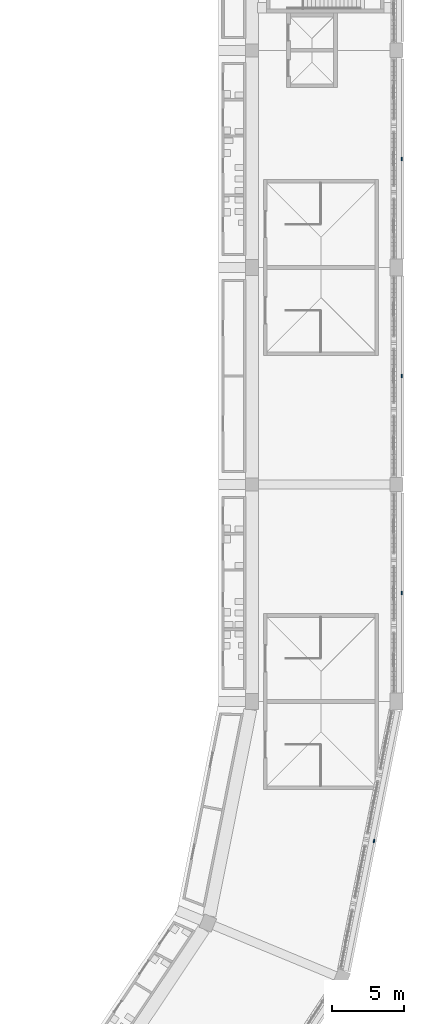
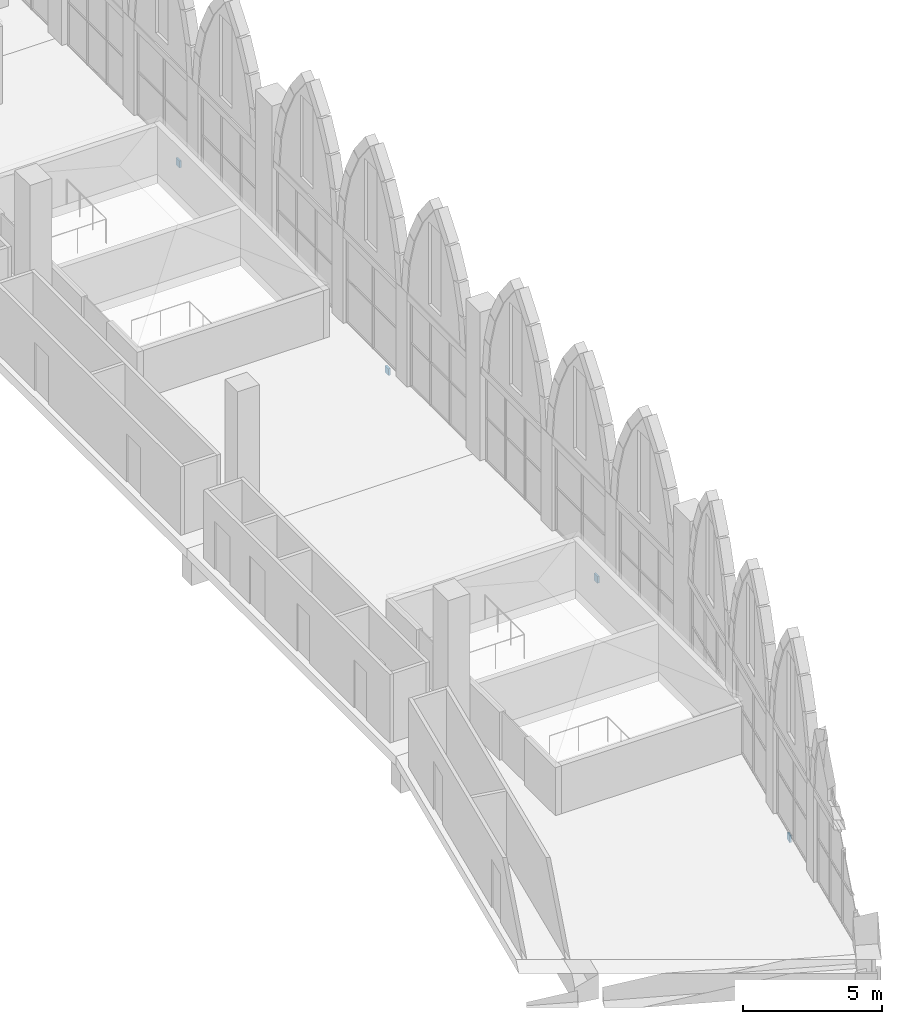
# One storey, part 94 of 130: 4 discrete accessories.
"""IFC4 building model written with IfcOpenShell, lengths in metres."""

import ifcopenshell
import ifcopenshell.guid

model = None  # the IFC model being written
_history = None  # IfcOwnerHistory: only IFC2X3 demands one
_inside = {}  # id of a spatial element -> (the spatial element, [elements in it])
_under = {}  # id of a project, library or spatial element -> (it, [spatial elements below it])
_declared = {}  # id of a project -> (the project, [libraries it declares])
_typed = {}  # id of a type object -> (the type object, [elements of that type])
_made_of = {}  # id of a material, layer set ... -> (it, [elements and type objects made of it])


def new_model(schema):
    """Start an empty IFC model of exactly this schema.

    Asked for "IFC4X3", IfcOpenShell would pick the latest addendum, in which some entities
    have other attributes; the version numbers below select the first issue.
    IFC2X3 requires an IfcOwnerHistory on every rooted entity: one is made here for all.
    """
    global model, _history
    if schema == "IFC4X3":
        model = ifcopenshell.file(schema_version=(4, 3, 0, 0))
    else:
        model = ifcopenshell.file(schema=schema)
    _inside.clear()
    _under.clear()
    _declared.clear()
    _typed.clear()
    _made_of.clear()
    _history = None
    if model.schema == "IFC2X3":
        org = make("IfcOrganization", Name="unknown")
        user = make(
            "IfcPersonAndOrganization",
            ThePerson=make("IfcPerson", FamilyName="unknown"),
            TheOrganization=org,
        )
        app = make(
            "IfcApplication",
            ApplicationDeveloper=org,
            Version="unknown",
            ApplicationFullName="unknown",
            ApplicationIdentifier="unknown",
        )
        _history = make(
            "IfcOwnerHistory",
            OwningUser=user,
            OwningApplication=app,
            ChangeAction="ADDED",
            CreationDate=0,
        )
    return model


def make(cls, **values):
    """One entity of the class cls with the attributes given. An attribute that is None is left unset."""
    return model.create_entity(
        cls, **{name: value for name, value in values.items() if value is not None}
    )


def rooted(cls, **values):
    """An entity with a GlobalId (a new one), such as an element, a storey or a relation."""
    return make(cls, GlobalId=ifcopenshell.guid.new(), OwnerHistory=_history, **values)


def si_unit(unit_type, name, prefix=None):
    """IfcSIUnit, for example si_unit("LENGTHUNIT", "METRE", prefix="MILLI")."""
    return make("IfcSIUnit", UnitType=unit_type, Prefix=prefix, Name=name)


def assignment(units):
    """IfcUnitAssignment: the units of a project."""
    return None if units is None else make("IfcUnitAssignment", Units=units)


def point(xyz):
    """IfcCartesianPoint."""
    return None if xyz is None else make("IfcCartesianPoint", Coordinates=xyz)


def direction(xyz):
    """IfcDirection."""
    return None if xyz is None else make("IfcDirection", DirectionRatios=xyz)


def frame(location, z_axis=None, x_axis=None):
    """IfcAxis2Placement3D, a coordinate frame: its origin and axes. An axis left out is left unset."""
    return make(
        "IfcAxis2Placement3D",
        Location=point(location),
        Axis=direction(z_axis),
        RefDirection=direction(x_axis),
    )


def frame_2d(location, x_axis=None):
    """IfcAxis2Placement2D, a coordinate frame in the plane: its origin and x axis."""
    return make(
        "IfcAxis2Placement2D", Location=point(location), RefDirection=direction(x_axis)
    )


def origin():
    """The frame at (0, 0, 0) with its axes left unset."""
    return frame((0.0, 0.0, 0.0))


def origin_2d():
    """The frame at (0, 0) in the plane with its x axis left unset."""
    return frame_2d((0.0, 0.0))


def place(relative_to, where):
    """IfcLocalPlacement: puts the frame where relative to a parent placement (None: the world)."""
    return make(
        "IfcLocalPlacement", PlacementRelTo=relative_to, RelativePlacement=where
    )


def context(
    kind, dimensions, precision=None, world=None, true_north=None, identifier=None
):
    """IfcGeometricRepresentationContext, for example the 3D "Model" context."""
    return make(
        "IfcGeometricRepresentationContext",
        ContextIdentifier=identifier,
        ContextType=kind,
        CoordinateSpaceDimension=dimensions,
        Precision=precision,
        WorldCoordinateSystem=world,
        TrueNorth=true_north,
    )


def subcontext(parent, identifier, kind, view, scale=None):
    """IfcGeometricRepresentationSubContext, for example "Body" below "Model"."""
    return make(
        "IfcGeometricRepresentationSubContext",
        ContextIdentifier=identifier,
        ContextType=kind,
        ParentContext=parent,
        TargetScale=scale,
        TargetView=view,
    )


def project(units=None, contexts=None):
    """IfcProject with its units and contexts."""
    return rooted(
        "IfcProject",
        Name="project",
        RepresentationContexts=contexts,
        UnitsInContext=assignment(units),
    )


def spatial(cls, under=None, at=None, **own):
    """A site, building, storey or space (cls), placed at a placement, below another one or the project."""
    s = rooted(cls, ObjectPlacement=at, **own)
    if under is not None:
        _under.setdefault(under.id(), (under, []))[1].append(s)
    return s


def profile(cls, at=None, kind="AREA", **sizes):
    """A parametric profile (cls). Its sizes go by their IFC names, for example OverallWidth=200.0."""
    return make(cls, ProfileType=kind, Position=at, **sizes)


def rectangle(**sizes):
    """IfcRectangleProfileDef."""
    return profile("IfcRectangleProfileDef", **sizes)


def extrude(swept, where, along, depth):
    """IfcExtrudedAreaSolid: the profile swept, set in the frame where, extruded along a direction by depth."""
    return make(
        "IfcExtrudedAreaSolid",
        SweptArea=swept,
        Position=where,
        ExtrudedDirection=direction(along),
        Depth=depth,
    )


def shape(context_of_items, identifier, shape_type, items):
    """IfcShapeRepresentation: the items that make up one representation, for example the "Body"."""
    return make(
        "IfcShapeRepresentation",
        ContextOfItems=context_of_items,
        RepresentationIdentifier=identifier,
        RepresentationType=shape_type,
        Items=items,
    )


def material(Name=None, Category=None):
    """IfcMaterial."""
    return make("IfcMaterial", Name=Name, Category=Category)


def layer(
    of_material, thickness, ventilated=None, Name=None, Category=None, Priority=None
):
    """IfcMaterialLayer: one layer of a wall or slab, of a material (None: an air gap)."""
    return make(
        "IfcMaterialLayer",
        Material=of_material,
        LayerThickness=thickness,
        IsVentilated=ventilated,
        Name=Name,
        Category=Category,
        Priority=Priority,
    )


def layer_set(layers, Name=None):
    """IfcMaterialLayerSet."""
    return make("IfcMaterialLayerSet", MaterialLayers=layers, LayerSetName=Name)


def made_of(thing, what):
    """Note that an element or type object is made of a material, layer set ...; save() writes the relation."""
    if what is not None:
        _made_of.setdefault(what.id(), (what, []))[1].append(thing)
    return thing


def type_object(cls, material=None, **own):
    """A type object (cls), such as IfcWallType, which elements share."""
    return made_of(rooted(cls, **own), material)


def element(
    cls,
    number,
    at=None,
    inside=None,
    cuts=None,
    type_object=None,
    material=None,
    context=None,
    identifier="Body",
    shape_type=None,
    held_by="IfcProductDefinitionShape",
    body=None,
    shapes=None,
    **own,
):
    """One element of the class cls, such as IfcWall. Its Tag is "e" and its number.

    at: its placement. inside: the storey or other place that contains it. cuts: it is an
    opening in that element (IfcRelVoidsElement). A single representation is given by context,
    identifier, shape_type and body (its items); several are given by shapes. held_by: the class
    of the entity that holds the representations. save() writes the other relations.
    """
    e = rooted(cls, Tag="e%d" % number, ObjectPlacement=at, **own)
    if body is not None:
        shapes = [shape(context, identifier, shape_type, body)]
    if shapes is not None:
        e.Representation = make(held_by, Representations=shapes)
    if inside is not None:
        _inside.setdefault(inside.id(), (inside, []))[1].append(e)
    if cuts is not None:
        rooted(
            "IfcRelVoidsElement", RelatingBuildingElement=cuts, RelatedOpeningElement=e
        )
    if type_object is not None:
        _typed.setdefault(type_object.id(), (type_object, []))[1].append(e)
    return made_of(e, material)


def aggregate(whole, parts):
    """IfcRelAggregates: a whole, such as a stair, and the parts it consists of."""
    return rooted("IfcRelAggregates", RelatingObject=whole, RelatedObjects=parts)


def save(model, path):
    """Write the relations noted so far, then the file.

    IfcRelAggregates (storeys below a building ...), IfcRelContainedInSpatialStructure (elements
    in a storey), IfcRelDefinesByType, IfcRelAssociatesMaterial and IfcRelDeclares: one each for
    every whole, place, type object, material and project.
    """
    for whole, parts in _under.values():
        aggregate(whole, parts)
    for where, things in _inside.values():
        rooted(
            "IfcRelContainedInSpatialStructure",
            RelatedElements=things,
            RelatingStructure=where,
        )
    for kind, things in _typed.values():
        rooted("IfcRelDefinesByType", RelatedObjects=things, RelatingType=kind)
    for what, things in _made_of.values():
        rooted("IfcRelAssociatesMaterial", RelatedObjects=things, RelatingMaterial=what)
    for by, libraries in _declared.values():
        rooted("IfcRelDeclares", RelatingContext=by, RelatedDefinitions=libraries)
    model.write(path)


model = new_model("IFC4")

# Units and contexts
model_context = context("Model", 3, precision=1e-05, world=origin(), true_north=direction((0.0, 1.0)))
body_context = subcontext(model_context, "Body", "Model", "MODEL_VIEW")
ifc_project = project(units=[si_unit("LENGTHUNIT", "METRE"), si_unit("AREAUNIT", "SQUARE_METRE"), si_unit("VOLUMEUNIT", "CUBIC_METRE"), si_unit("PLANEANGLEUNIT", "RADIAN"), si_unit("MASSUNIT", "GRAM", prefix="KILO")], contexts=[model_context])

# Site, building, storey
site_placement = place(None, origin())
site = spatial("IfcSite", under=ifc_project, at=site_placement, CompositionType="ELEMENT")
building_placement = place(site_placement, origin())
building = spatial("IfcBuilding", under=site, at=building_placement, Name="Ogive Plaza Stadium", CompositionType="ELEMENT")
storey_placement = place(building_placement, frame((0.0, 0.0, 22.5)))
storey = spatial("IfcBuildingStorey", under=building, at=storey_placement, Name="L05", CompositionType="ELEMENT", Elevation=22.5)

# Discrete accessories
ifc_material = material(Name="Steel ASTM A572 Grade 50", Category="steel")
ifc_layer = layer(ifc_material, 0.080078125)
ifc_layer_set = layer_set([ifc_layer], Name="Steel ASTM A572 Grade 50")
discrete_accessory_type = type_object("IfcDiscreteAccessoryType", Name="Spandrel cladding bracket 250x300", PredefinedType="BRACKET", material=ifc_layer_set)
for number, where, z_axis, x_axis, name in (
    (1, (84.35009765625, -15.0, -1.31005859375), (0.0, 0.0, 1.0), (0.0, -1.0, 0.0), "SPANDREL BRACKET B05 L05"),
    (2, (84.35009765625, -30.0, -1.31005859375), (0.0, 0.0, 1.0), (0.0, -1.0, 0.0), "SPANDREL BRACKET B06 L05"),
    (3, (84.35009765625, -45.0, -1.31005859375), (0.0, 0.0, 1.0), (0.0, -1.0, 0.0), "SPANDREL BRACKET B07 L05"),
    (4, (82.440185546875, -62.135498046875, -1.60986328125), (0.0, 0.0, 1.0), (-0.195090322016, -0.980785280403, 0.0), "SPANDREL BRACKET B08 L05"),
):
    element("IfcDiscreteAccessory", number, at=place(storey_placement, frame(where, z_axis=z_axis, x_axis=x_axis)), inside=storey, type_object=discrete_accessory_type, Name=name, PredefinedType="BRACKET", context=body_context, shape_type="SweptSolid", body=[
        extrude(rectangle(XDim=0.25, YDim=0.080078125, at=origin_2d()), origin(), (0.0, 0.0, 1.0), 0.300048828125),
    ])

save(model, "model.ifc")
